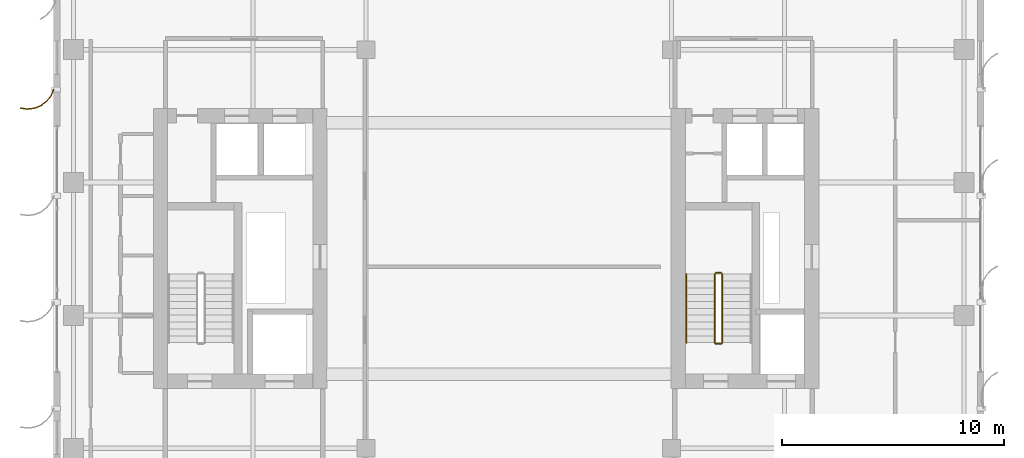
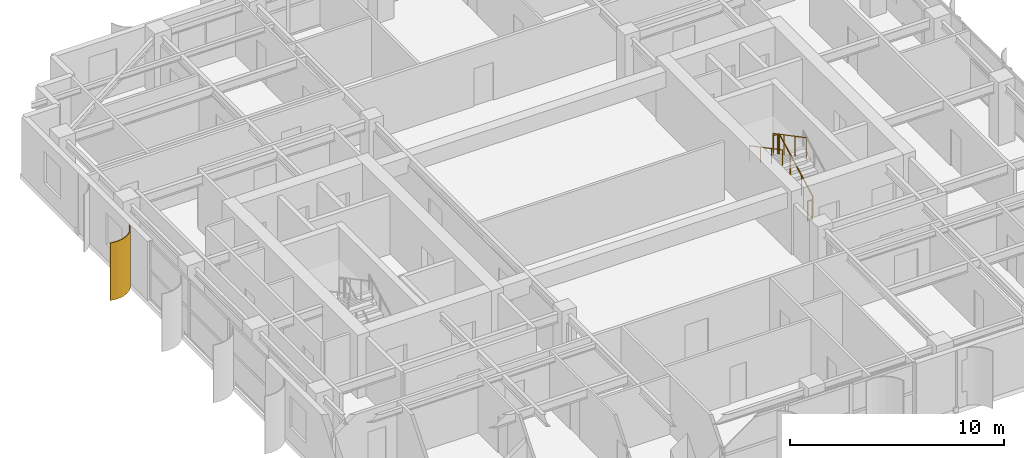
# One storey, part 21 of 22: 5 railings, 1 shading device.
"""IFC4 building model written with IfcOpenShell, lengths in metres."""

from ifc_helpers import new_model, si_unit, direction, frame, origin, origin_2d, place, context, subcontext, project, spatial, polyline, circle, outline, extrude, source, transform, mapped, material, layer, layer_set, type_object, element, save


model = new_model("IFC4")

# Units and contexts
model_context = context("Model", 3, precision=1e-05, world=origin(), true_north=direction((0.0, 1.0)))
body_context = subcontext(model_context, "Body", "Model", "MODEL_VIEW")
ifc_project = project(units=[si_unit("LENGTHUNIT", "METRE"), si_unit("AREAUNIT", "SQUARE_METRE"), si_unit("VOLUMEUNIT", "CUBIC_METRE"), si_unit("PLANEANGLEUNIT", "RADIAN"), si_unit("MASSUNIT", "GRAM", prefix="KILO")], contexts=[model_context])

# Site, building, storey
site_placement = place(None, origin())
site = spatial("IfcSite", under=ifc_project, at=site_placement, CompositionType="ELEMENT")
building_placement = place(site_placement, origin())
building = spatial("IfcBuilding", under=site, at=building_placement, Name="Khoralis Quay Care Tower", CompositionType="ELEMENT")
storey_placement = place(building_placement, frame((0.0, 0.0, 180.89990234375)))
storey = spatial("IfcBuildingStorey", under=building, at=storey_placement, Name="L47", CompositionType="ELEMENT", Elevation=180.89990234375)

# Railings
ifc_material_1 = material(Name="Brushed stainless steel", Category="steel")
railing_type_1 = type_object("IfcRailingType", Name="RL-GUARD-1150", PredefinedType="GUARDRAIL", material=ifc_material_1)
railing_1_placement = place(storey_placement, frame((33.18994140625, 16.77001953125, 0.163818359375)))
element("IfcRailing", 1, at=railing_1_placement, inside=storey, type_object=railing_type_1, Name="L47 ST-T2 stair guard 1", PredefinedType="GUARDRAIL", context=body_context, shape_type="SweptSolid", body=[
    extrude(circle(Radius=0.02392578125, at=origin_2d()), frame((0.0, 0.0, 1.1259765625), z_axis=(0.0, 0.884376766648, 0.46677375099), x_axis=(-1.0, 0.0, 0.0)), (0.0, 0.0, 1.0), 3.50537109375),
    extrude(circle(Radius=0.02099609375, at=origin_2d()), origin(), (0.0, 0.0, 1.0), 1.101806640625),
    extrude(circle(Radius=0.02099609375, at=origin_2d()), frame((0.0, 1.033447265625, 0.54541015625)), (0.0, 0.0, 1.0), 1.101806640625),
    extrude(circle(Radius=0.02099609375, at=origin_2d()), frame((0.0, 2.066650390625, 1.0908203125)), (0.0, 0.0, 1.0), 1.101806640625),
    extrude(circle(Radius=0.02099609375, at=origin_2d()), frame((0.0, 3.10009765625, 1.63623046875)), (0.0, 0.0, 1.0), 1.101806640625),
])
railing_2_placement = place(storey_placement, frame((33.139892578125, 19.919921875, 1.800048828125)))
element("IfcRailing", 2, at=railing_2_placement, inside=storey, type_object=railing_type_1, Name="L47 ST-T2 stair guard 2", PredefinedType="GUARDRAIL", context=body_context, shape_type="SweptSolid", body=[
    extrude(circle(Radius=0.02392578125, at=origin_2d()), frame((0.0, 0.0, 1.1259765625), z_axis=(-1.0, 0.0, 0.0), x_axis=(0.0, -1.0, 0.0)), (0.0, 0.0, 1.0), 0.239990234375),
    extrude(circle(Radius=0.02099609375, at=origin_2d()), origin(), (0.0, 0.0, 1.0), 1.101806640625),
    extrude(circle(Radius=0.02099609375, at=origin_2d()), frame((-0.239990234375, 0.0, 0.0)), (0.0, 0.0, 1.0), 1.101806640625),
])
railing_3_placement = place(storey_placement, frame((32.85009765625, 19.8701171875, 1.963623046875)))
element("IfcRailing", 3, at=railing_3_placement, inside=storey, type_object=railing_type_1, Name="L47 ST-T2 stair guard 3", PredefinedType="GUARDRAIL", context=body_context, shape_type="SweptSolid", body=[
    extrude(circle(Radius=0.02392578125, at=origin_2d()), frame((0.0, 0.0, 1.1259765625), z_axis=(0.0, -0.884348015382, 0.466828220752), x_axis=(1.0, 0.0, 0.0)), (0.0, 0.0, 1.0), 3.505615234375),
    extrude(circle(Radius=0.02099609375, at=origin_2d()), origin(), (0.0, 0.0, 1.0), 1.101806640625),
    extrude(circle(Radius=0.02099609375, at=origin_2d()), frame((0.0, -1.033447265625, 0.54541015625)), (0.0, 0.0, 1.0), 1.101806640625),
    extrude(circle(Radius=0.02099609375, at=origin_2d()), frame((0.0, -2.066650390625, 1.091064453125)), (0.0, 0.0, 1.0), 1.101806640625),
    extrude(circle(Radius=0.02099609375, at=origin_2d()), frame((0.0, -3.10009765625, 1.636474609375)), (0.0, 0.0, 1.0), 1.101806640625),
])
railing_4_placement = place(storey_placement, frame((33.139892578125, 16.719970703125, 0.0)))
element("IfcRailing", 4, at=railing_4_placement, inside=storey, type_object=railing_type_1, Name="L47 ST-T2 stair guard 4", PredefinedType="GUARDRAIL", context=body_context, shape_type="SweptSolid", body=[
    extrude(circle(Radius=0.02392578125, at=origin_2d()), frame((0.0, 0.0, 1.1259765625), z_axis=(-1.0, 0.0, 0.0), x_axis=(0.0, -1.0, 0.0)), (0.0, 0.0, 1.0), 0.239990234375),
    extrude(circle(Radius=0.02099609375, at=origin_2d()), origin(), (0.0, 0.0, 1.0), 1.101806640625),
    extrude(circle(Radius=0.02099609375, at=origin_2d()), frame((-0.239990234375, 0.0, 0.0)), (0.0, 0.0, 1.0), 1.101806640625),
])
railing_type_2 = type_object("IfcRailingType", Name="RL-HAND-900", PredefinedType="HANDRAIL", material=ifc_material_1)
railing_5_placement = place(storey_placement, frame((31.570068359375, 19.8701171875, 1.963623046875)))
element("IfcRailing", 5, at=railing_5_placement, inside=storey, type_object=railing_type_2, Name="L47 ST-T2 stair handrail 2", PredefinedType="HANDRAIL", context=body_context, shape_type="SweptSolid", body=[
    extrude(circle(Radius=0.02392578125, at=origin_2d()), frame((0.0, 0.0, 0.8759765625), z_axis=(0.0, -0.884348015382, 0.466828220752), x_axis=(1.0, 0.0, 0.0)), (0.0, 0.0, 1.0), 3.505615234375),
    extrude(circle(Radius=0.02099609375, at=origin_2d()), origin(), (0.0, 0.0, 1.0), 0.851806640625),
    extrude(circle(Radius=0.02099609375, at=origin_2d()), frame((0.0, -1.033447265625, 0.54541015625)), (0.0, 0.0, 1.0), 0.851806640625),
    extrude(circle(Radius=0.02099609375, at=origin_2d()), frame((0.0, -2.066650390625, 1.091064453125)), (0.0, 0.0, 1.0), 0.851806640625),
    extrude(circle(Radius=0.02099609375, at=origin_2d()), frame((0.0, -3.10009765625, 1.636474609375)), (0.0, 0.0, 1.0), 0.851806640625),
])

# Shading device
ifc_material_2 = material(Name="Brushed pale anodised aluminium", Category="aluminium")
ifc_layer = layer(ifc_material_2, 0.044921875)
ifc_layer_set = layer_set([ifc_layer], Name="Brushed pale anodised aluminium")
shading_device_type = type_object("IfcShadingDeviceType", Name="SHD-FIN-1250", PredefinedType="USERDEFINED", material=ifc_layer_set)
shared_shape = source(origin(), body_context, "Body", "SweptSolid", [
    extrude(outline(polyline([(0.0, 0.0), (0.130126953125, 0.29931640625), (0.333251953125, 0.5546875), (0.595458984375, 0.748779296875), (0.899169921875, 0.868408203125), (1.223388671875, 0.9052734375), (1.546142578125, 0.85693359375), (1.53369140625, 0.813720703125), (1.22265625, 0.8603515625), (0.91015625, 0.82470703125), (0.617431640625, 0.70947265625), (0.364501953125, 0.522216796875), (0.168701171875, 0.276123046875), (0.043212890625, -0.012451171875), (0.0, 0.0)])), origin(), (0.0, 0.0, 1.0), 3.280029296875),
])
shading_device_placement = place(storey_placement, frame((3.030029296875, 28.199951171875, 0.02001953125), z_axis=(0.0, 0.0, 1.0), x_axis=(-1.0, 0.0, 0.0)))
element("IfcShadingDevice", 6, at=shading_device_placement, inside=storey, type_object=shading_device_type, Name="L47 Curved Solar Fin P1E15-02", ObjectType="FIN", PredefinedType="USERDEFINED", context=body_context, shape_type="MappedRepresentation", body=[
    mapped(shared_shape, transform((0.0, 0.0, 0.0), scale=1.0)),
])

save(model, "model.ifc")
